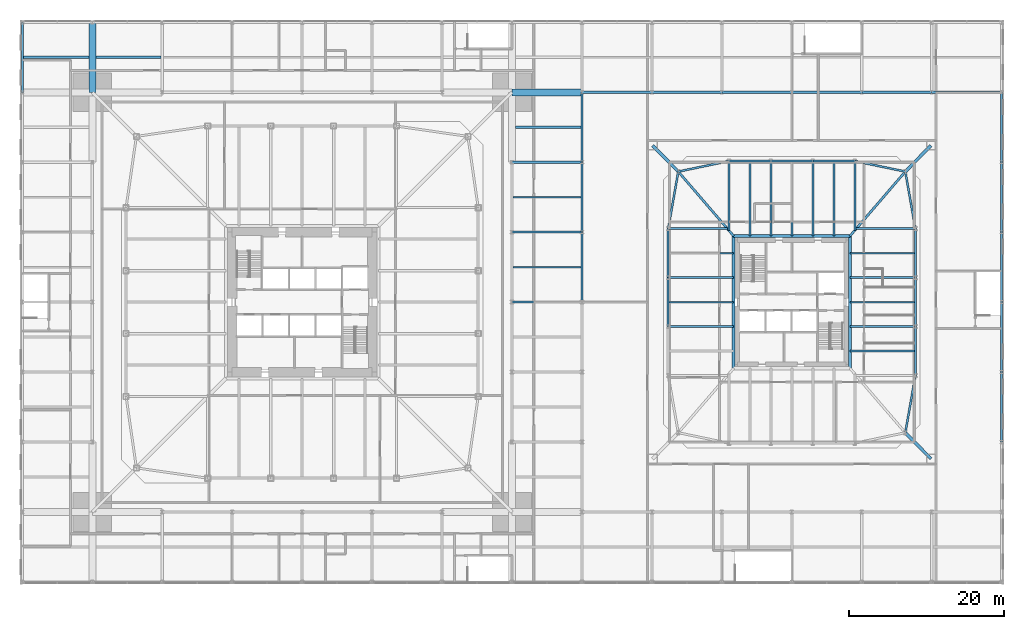
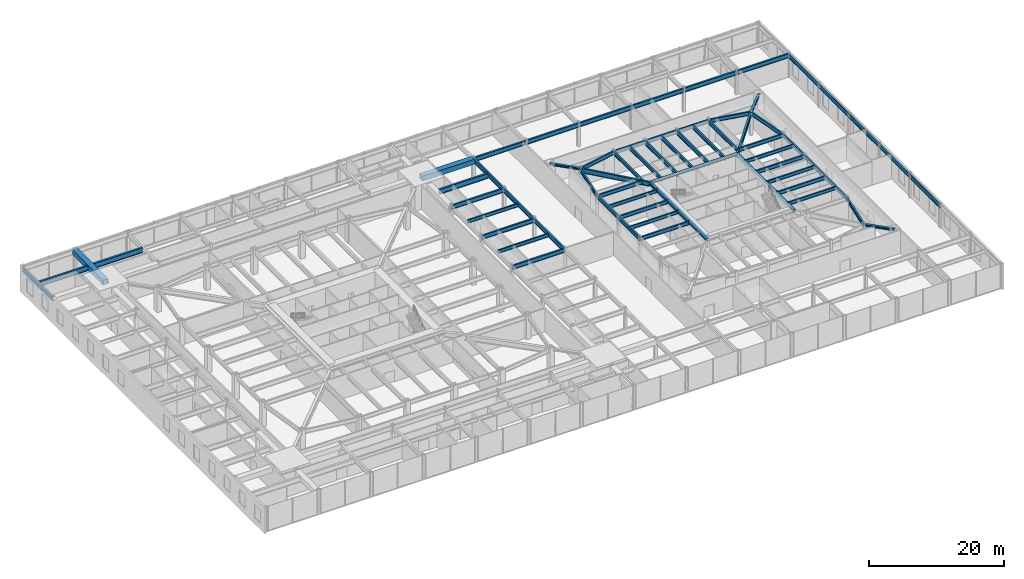
# One storey, part 13 of 30: 61 beams, 3 members.
"""IFC4 building model written with IfcOpenShell, lengths in metres."""

from ifc_helpers import new_model, si_unit, direction, frame, origin, origin_2d, place, context, subcontext, project, spatial, hollow_rectangle, i_section, extrude, material, material_profile, profile_set, type_object, element, save


model = new_model("IFC4")

# Units and contexts
model_context = context("Model", 3, precision=1e-05, world=origin(), true_north=direction((0.0, 1.0)))
body_context = subcontext(model_context, "Body", "Model", "MODEL_VIEW")
ifc_project = project(units=[si_unit("LENGTHUNIT", "METRE"), si_unit("AREAUNIT", "SQUARE_METRE"), si_unit("VOLUMEUNIT", "CUBIC_METRE"), si_unit("PLANEANGLEUNIT", "RADIAN"), si_unit("MASSUNIT", "GRAM", prefix="KILO")], contexts=[model_context])

# Site, building, storey
site_placement = place(None, origin())
site = spatial("IfcSite", under=ifc_project, at=site_placement, CompositionType="ELEMENT")
building_placement = place(site_placement, origin())
building = spatial("IfcBuilding", under=site, at=building_placement, Name="Iwan Alto Co-Living Towers", CompositionType="ELEMENT")
storey_placement = place(building_placement, frame((0.0, 0.0, 10.5)))
storey = spatial("IfcBuildingStorey", under=building, at=storey_placement, Name="L02", CompositionType="ELEMENT", Elevation=10.5)

# Beams
ifc_material_1 = material(Name="Steel ASTM A992 Gr 50", Category="steel")
ifc_material_profile_1 = material_profile(ifc_material_1, i_section(OverallWidth=0.2666015625, OverallDepth=0.76953125, WebThickness=0.015625, FlangeThickness=0.025390625, at=origin_2d()), Name="W30X132")
ifc_profile_set_1 = profile_set([ifc_material_profile_1], Name="Steel ASTM A992 Gr 50")
beam_type_1 = type_object("IfcBeamType", Name="PODIUM BEAM W30X132", PredefinedType="BEAM", material=ifc_profile_set_1)
for number, where, z_axis, x_axis, name in (
    (1, (-36.0, 27.0, 3.865234375), (0.0, 1.0, 0.0), (-1.0, 0.0, 0.0), "Podium beam 1/H-1/I L03"),
    (2, (27.0, 0.0, 3.865234375), (1.0, 0.0, 0.0), (0.0, 1.0, 0.0), "Podium beam 8/E-9/E L03"),
    (3, (27.0, 9.0, 3.865234375), (1.0, 0.0, 0.0), (0.0, 1.0, 0.0), "Podium beam 8/F-9/F L03"),
    (4, (27.0, 18.0, 3.865234375), (1.0, 0.0, 0.0), (0.0, 1.0, 0.0), "Podium beam 8/G-9/G L03"),
    (5, (36.0, 0.0, 3.865234375), (0.0, 1.0, 0.0), (-1.0, 0.0, 0.0), "Podium beam 9/E-9/F L03"),
    (6, (36.0, 9.0, 3.865234375), (0.0, 1.0, 0.0), (-1.0, 0.0, 0.0), "Podium beam 9/F-9/G L03"),
    (7, (36.0, 18.0, 3.865234375), (0.0, 1.0, 0.0), (-1.0, 0.0, 0.0), "Podium beam 9/G-9/H L03"),
    (8, (36.0, 27.0, 3.865234375), (1.0, 0.0, 0.0), (0.0, 1.0, 0.0), "Podium beam 9/H-10/H L03"),
    (9, (45.0, 27.0, 3.865234375), (1.0, 0.0, 0.0), (0.0, 1.0, 0.0), "Podium beam 10/H-11/H L03"),
    (10, (54.0, 27.0, 3.865234375), (1.0, 0.0, 0.0), (0.0, 1.0, 0.0), "Podium beam 11/H-12/H L03"),
    (11, (63.0, 27.0, 3.865234375), (1.0, 0.0, 0.0), (0.0, 1.0, 0.0), "Podium beam 12/H-13/H L03"),
    (12, (72.0, 27.0, 3.865234375), (1.0, 0.0, 0.0), (0.0, 1.0, 0.0), "Podium beam 13/H-14/H L03"),
    (13, (81.0, 27.0, 3.865234375), (1.0, 0.0, 0.0), (0.0, 1.0, 0.0), "Podium beam 14/H-15/H L03"),
    (14, (90.0, -18.0, 3.865234375), (0.0, 1.0, 0.0), (-1.0, 0.0, 0.0), "Podium beam 15/C-15/D L03"),
    (15, (90.0, -9.0, 3.865234375), (0.0, 1.0, 0.0), (-1.0, 0.0, 0.0), "Podium beam 15/D-15/E L03"),
    (16, (90.0, 0.0, 3.865234375), (0.0, 1.0, 0.0), (-1.0, 0.0, 0.0), "Podium beam 15/E-15/F L03"),
    (17, (90.0, 9.0, 3.865234375), (0.0, 1.0, 0.0), (-1.0, 0.0, 0.0), "Podium beam 15/F-15/G L03"),
    (18, (90.0, 18.0, 3.865234375), (0.0, 1.0, 0.0), (-1.0, 0.0, 0.0), "Podium beam 15/G-15/H L03"),
):
    element("IfcBeam", number, at=place(storey_placement, frame(where, z_axis=z_axis, x_axis=x_axis)), inside=storey, type_object=beam_type_1, Name=name, PredefinedType="BEAM", context=body_context, shape_type="SweptSolid", body=[
        extrude(i_section(OverallWidth=0.2666015625, OverallDepth=0.76953125, WebThickness=0.015625, FlangeThickness=0.025390625, at=origin_2d()), origin(), (0.0, 0.0, 1.0), 9.0),
    ])
ifc_material_2 = material(Name="Steel ASTM A992 Gr 50", Category="steel")
ifc_material_profile_2 = material_profile(ifc_material_2, i_section(OverallWidth=0.307373046875, OverallDepth=0.927001953125, WebThickness=0.01953125, FlangeThickness=0.031982421875, at=origin_2d()), Name="W36X194")
ifc_profile_set_2 = profile_set([ifc_material_profile_2], Name="Steel ASTM A992 Gr 50")
beam_type_2 = type_object("IfcBeamType", Name="PODIUM PIER BAY SECONDARY BEAM W36X194", PredefinedType="JOIST", material=ifc_profile_set_2)
for number, where, z_axis, x_axis, name in (
    (19, (-35.86669921875, 31.5, 3.786376953125), (1.0, 0.0, 0.0), (0.0, 1.0, 0.0), "Podium secondary beam 1/H L03"),
    (20, (-26.550048828125, 31.5, 3.786376953125), (1.0, 0.0, 0.0), (0.0, 1.0, 0.0), "Podium secondary beam 2/H L03"),
    (21, (27.449951171875, 22.5, 3.786376953125), (1.0, 0.0, 0.0), (0.0, 1.0, 0.0), "Podium secondary beam 8/G L03"),
):
    element("IfcBeam", number, at=place(storey_placement, frame(where, z_axis=z_axis, x_axis=x_axis)), inside=storey, type_object=beam_type_2, Name=name, PredefinedType="JOIST", context=body_context, shape_type="SweptSolid", body=[
        extrude(i_section(OverallWidth=0.307373046875, OverallDepth=0.927001953125, WebThickness=0.01953125, FlangeThickness=0.031982421875, at=origin_2d()), origin(), (0.0, 0.0, 1.0), 8.416748046875),
    ])
ifc_material_3 = material(Name="Steel ASTM A572 Gr 50", Category="steel")
ifc_material_profile_3 = material_profile(ifc_material_3, hollow_rectangle(XDim=0.89990234375, YDim=0.89990234375, WallThickness=0.06005859375, at=origin_2d()), Name="BOX 900X900X60")
ifc_profile_set_3 = profile_set([ifc_material_profile_3], Name="Steel ASTM A572 Gr 50")
beam_type_3 = type_object("IfcBeamType", Name="PODIUM PIER BEAM BOX 900X900X60", PredefinedType="BEAM", material=ifc_profile_set_3)
for number, where, z_axis, x_axis, name in (
    (22, (-27.0, 27.0, 3.800048828125), (0.0, 1.0, 0.0), (-1.0, 0.0, 0.0), "Podium beam 2/H-2/I L03"),
    (23, (27.0, 27.0, 3.800048828125), (1.0, 0.0, 0.0), (0.0, 1.0, 0.0), "Podium beam 8/H-9/H L03"),
):
    element("IfcBeam", number, at=place(storey_placement, frame(where, z_axis=z_axis, x_axis=x_axis)), inside=storey, type_object=beam_type_3, Name=name, PredefinedType="BEAM", context=body_context, shape_type="SweptSolid", body=[
        extrude(hollow_rectangle(XDim=0.89990234375, YDim=0.89990234375, WallThickness=0.06005859375, at=origin_2d()), origin(), (0.0, 0.0, 1.0), 9.0),
    ])
ifc_material_4 = material(Name="Steel ASTM A992 Gr 50", Category="steel")
ifc_material_profile_4 = material_profile(ifc_material_4, i_section(OverallWidth=0.23046875, OverallDepth=0.6171875, WebThickness=0.01318359375, FlangeThickness=0.022216796875, at=origin_2d()), Name="W24X94")
ifc_profile_set_4 = profile_set([ifc_material_profile_4], Name="Steel ASTM A992 Gr 50")
beam_type_4 = type_object("IfcBeamType", Name="PODIUM SECONDARY BEAM W24X94", PredefinedType="JOIST", material=ifc_profile_set_4)
for number, where, z_axis, x_axis, name in (
    (24, (27.13330078125, 4.5, 3.94140625), (1.0, 0.0, 0.0), (0.0, 1.0, 0.0), "Podium secondary beam 8/E L03"),
    (25, (27.13330078125, 13.5, 3.94140625), (1.0, 0.0, 0.0), (0.0, 1.0, 0.0), "Podium secondary beam 8/F L03"),
):
    element("IfcBeam", number, at=place(storey_placement, frame(where, z_axis=z_axis, x_axis=x_axis)), inside=storey, type_object=beam_type_4, Name=name, PredefinedType="JOIST", context=body_context, shape_type="SweptSolid", body=[
        extrude(i_section(OverallWidth=0.23046875, OverallDepth=0.6171875, WebThickness=0.01318359375, FlangeThickness=0.022216796875, at=origin_2d()), origin(), (0.0, 0.0, 1.0), 8.7333984375),
    ])
ifc_material_5 = material(Name="Steel ASTM A992 Gr 50", Category="steel")
ifc_material_profile_5 = material_profile(ifc_material_5, i_section(OverallWidth=0.40380859375, OverallDepth=0.406494140625, WebThickness=0.027099609375, FlangeThickness=0.043701171875, at=origin_2d()), Name="W14X233")
ifc_profile_set_5 = profile_set([ifc_material_profile_5], Name="Steel ASTM A992 Gr 50")
beam_type_5 = type_object("IfcBeamType", Name="T2 CORE LEDGER BEAM W14X233", PredefinedType="BEAM", material=ifc_profile_set_5)
beam_1_placement = place(storey_placement, frame((70.501953125, -8.534912109375, 4.06689453125), z_axis=(0.0, 1.0, 0.0), x_axis=(-1.0, 0.0, 0.0)))
element("IfcBeam", 26, at=beam_1_placement, inside=storey, type_object=beam_type_5, Name="T2 core ledger beam E L03", PredefinedType="BEAM", context=body_context, shape_type="SweptSolid", body=[
    extrude(i_section(OverallWidth=0.40380859375, OverallDepth=0.406494140625, WebThickness=0.027099609375, FlangeThickness=0.043701171875, at=origin_2d()), origin(), (0.0, 0.0, 1.0), 17.06982421875),
])
beam_2_placement = place(storey_placement, frame((70.4736328125, 8.501953125, 4.06689453125), z_axis=(-1.0, 0.0, 0.0), x_axis=(0.0, -1.0, 0.0)))
element("IfcBeam", 27, at=beam_2_placement, inside=storey, type_object=beam_type_5, Name="T2 core ledger beam N L03", PredefinedType="BEAM", context=body_context, shape_type="SweptSolid", body=[
    extrude(i_section(OverallWidth=0.40380859375, OverallDepth=0.406494140625, WebThickness=0.027099609375, FlangeThickness=0.043701171875, at=origin_2d()), origin(), (0.0, 0.0, 1.0), 14.947265625),
])
beam_3_placement = place(storey_placement, frame((55.498046875, 8.534912109375, 4.06689453125), z_axis=(0.0, -1.0, 0.0), x_axis=(1.0, 0.0, 0.0)))
element("IfcBeam", 28, at=beam_3_placement, inside=storey, type_object=beam_type_5, Name="T2 core ledger beam W L03", PredefinedType="BEAM", context=body_context, shape_type="SweptSolid", body=[
    extrude(i_section(OverallWidth=0.40380859375, OverallDepth=0.406494140625, WebThickness=0.027099609375, FlangeThickness=0.043701171875, at=origin_2d()), origin(), (0.0, 0.0, 1.0), 17.06982421875),
])
ifc_material_6 = material(Name="Steel ASTM A992 Gr 50", Category="steel")
ifc_material_profile_6 = material_profile(ifc_material_6, i_section(OverallWidth=0.2919921875, OverallDepth=0.8408203125, WebThickness=0.0146484375, FlangeThickness=0.021728515625, at=origin_2d()), Name="W33X130")
ifc_profile_set_6 = profile_set([ifc_material_profile_6], Name="Steel ASTM A992 Gr 50")
beam_type_6 = type_object("IfcBeamType", Name="T2 CORNER GIRDER W33X130", PredefinedType="BEAM", material=ifc_profile_set_6)
for number, where, z_axis, x_axis, name in (
    (29, (77.606201171875, 16.797119140625, 3.849609375), (-0.651972301827, -0.758242782788, 0.0), (0.758242782788, -0.651972301827, 0.0), "T2 corner girder CNE L03"),
    (30, (48.393798828125, 16.797119140625, 3.849609375), (0.651972301827, -0.758242782788, 0.0), (0.758242782788, 0.651972301827, 0.0), "T2 corner girder CNW L03"),
):
    element("IfcBeam", number, at=place(storey_placement, frame(where, z_axis=z_axis, x_axis=x_axis)), inside=storey, type_object=beam_type_6, Name=name, PredefinedType="BEAM", context=body_context, shape_type="SweptSolid", body=[
        extrude(i_section(OverallWidth=0.2919921875, OverallDepth=0.8408203125, WebThickness=0.0146484375, FlangeThickness=0.021728515625, at=origin_2d()), origin(), (0.0, 0.0, 1.0), 10.93994140625),
    ])
ifc_material_7 = material(Name="Steel ASTM A992 Gr 50", Category="steel")
ifc_material_profile_7 = material_profile(ifc_material_7, i_section(OverallWidth=0.25390625, OverallDepth=0.683349609375, WebThickness=0.012451171875, FlangeThickness=0.018798828125, at=origin_2d()), Name="W27X94")
ifc_profile_set_7 = profile_set([ifc_material_profile_7], Name="Steel ASTM A992 Gr 50")
beam_type_7 = type_object("IfcBeamType", Name="T2 EDGE BEAM W27X94", PredefinedType="BEAM", material=ifc_profile_set_7)
beam_4_placement = place(storey_placement, frame((77.606201171875, -16.797119140625, 3.928466796875), z_axis=(0.173413807283, 0.98484905008, 0.0), x_axis=(-0.98484905008, 0.173413807283, 0.0)))
element("IfcBeam", 31, at=beam_4_placement, inside=storey, type_object=beam_type_7, Name="T2 edge beam CSE L03", PredefinedType="BEAM", context=body_context, shape_type="SweptSolid", body=[
    extrude(i_section(OverallWidth=0.25390625, OverallDepth=0.683349609375, WebThickness=0.012451171875, FlangeThickness=0.018798828125, at=origin_2d()), origin(), (0.0, 0.0, 1.0), 7.460205078125),
])
beam_5_placement = place(storey_placement, frame((78.89990234375, -9.449951171875, 3.928466796875), z_axis=(0.0, 1.0, 0.0), x_axis=(-1.0, 0.0, 0.0)))
element("IfcBeam", 32, at=beam_5_placement, inside=storey, type_object=beam_type_7, Name="T2 edge beam E1 L03", PredefinedType="BEAM", context=body_context, shape_type="SweptSolid", body=[
    extrude(i_section(OverallWidth=0.25390625, OverallDepth=0.683349609375, WebThickness=0.012451171875, FlangeThickness=0.018798828125, at=origin_2d()), origin(), (0.0, 0.0, 1.0), 6.300048828125),
])
beam_6_placement = place(storey_placement, frame((78.89990234375, -3.14990234375, 3.928466796875), z_axis=(0.0, 1.0, 0.0), x_axis=(-1.0, 0.0, 0.0)))
element("IfcBeam", 33, at=beam_6_placement, inside=storey, type_object=beam_type_7, Name="T2 edge beam E2 L03", PredefinedType="BEAM", context=body_context, shape_type="SweptSolid", body=[
    extrude(i_section(OverallWidth=0.25390625, OverallDepth=0.683349609375, WebThickness=0.012451171875, FlangeThickness=0.018798828125, at=origin_2d()), origin(), (0.0, 0.0, 1.0), 6.2998046875),
])
beam_7_placement = place(storey_placement, frame((78.89990234375, 3.14990234375, 3.928466796875), z_axis=(0.0, 1.0, 0.0), x_axis=(-1.0, 0.0, 0.0)))
element("IfcBeam", 34, at=beam_7_placement, inside=storey, type_object=beam_type_7, Name="T2 edge beam E3 L03", PredefinedType="BEAM", context=body_context, shape_type="SweptSolid", body=[
    extrude(i_section(OverallWidth=0.25390625, OverallDepth=0.683349609375, WebThickness=0.012451171875, FlangeThickness=0.018798828125, at=origin_2d()), origin(), (0.0, 0.0, 1.0), 6.300048828125),
])
beam_8_placement = place(storey_placement, frame((78.89990234375, 9.449951171875, 3.928466796875), z_axis=(-0.173413807283, 0.98484905008, 0.0), x_axis=(-0.98484905008, -0.173413807283, 0.0)))
element("IfcBeam", 35, at=beam_8_placement, inside=storey, type_object=beam_type_7, Name="T2 edge beam E4 L03", PredefinedType="BEAM", context=body_context, shape_type="SweptSolid", body=[
    extrude(i_section(OverallWidth=0.25390625, OverallDepth=0.683349609375, WebThickness=0.012451171875, FlangeThickness=0.018798828125, at=origin_2d()), origin(), (0.0, 0.0, 1.0), 7.460205078125),
])
beam_9_placement = place(storey_placement, frame((77.606201171875, 16.797119140625, 3.928466796875), z_axis=(-0.979060119423, 0.203571320564, 0.0), x_axis=(-0.203571320564, -0.979060119423, 0.0)))
element("IfcBeam", 36, at=beam_9_placement, inside=storey, type_object=beam_type_7, Name="T2 edge beam CNE L03", PredefinedType="BEAM", context=body_context, shape_type="SweptSolid", body=[
    extrude(i_section(OverallWidth=0.25390625, OverallDepth=0.683349609375, WebThickness=0.012451171875, FlangeThickness=0.018798828125, at=origin_2d()), origin(), (0.0, 0.0, 1.0), 6.645263671875),
])
beam_10_placement = place(storey_placement, frame((71.10009765625, 18.14990234375, 3.928466796875), z_axis=(-1.0, 0.0, 0.0), x_axis=(0.0, -1.0, 0.0)))
element("IfcBeam", 37, at=beam_10_placement, inside=storey, type_object=beam_type_7, Name="T2 edge beam N1 L03", PredefinedType="BEAM", context=body_context, shape_type="SweptSolid", body=[
    extrude(i_section(OverallWidth=0.25390625, OverallDepth=0.683349609375, WebThickness=0.012451171875, FlangeThickness=0.018798828125, at=origin_2d()), origin(), (0.0, 0.0, 1.0), 5.400146484375),
])
beam_11_placement = place(storey_placement, frame((65.699951171875, 18.14990234375, 3.928466796875), z_axis=(-1.0, 0.0, 0.0), x_axis=(0.0, -1.0, 0.0)))
element("IfcBeam", 38, at=beam_11_placement, inside=storey, type_object=beam_type_7, Name="T2 edge beam N2 L03", PredefinedType="BEAM", context=body_context, shape_type="SweptSolid", body=[
    extrude(i_section(OverallWidth=0.25390625, OverallDepth=0.683349609375, WebThickness=0.012451171875, FlangeThickness=0.018798828125, at=origin_2d()), origin(), (0.0, 0.0, 1.0), 5.39990234375),
])
beam_12_placement = place(storey_placement, frame((60.300048828125, 18.14990234375, 3.928466796875), z_axis=(-1.0, 0.0, 0.0), x_axis=(0.0, -1.0, 0.0)))
element("IfcBeam", 39, at=beam_12_placement, inside=storey, type_object=beam_type_7, Name="T2 edge beam N3 L03", PredefinedType="BEAM", context=body_context, shape_type="SweptSolid", body=[
    extrude(i_section(OverallWidth=0.25390625, OverallDepth=0.683349609375, WebThickness=0.012451171875, FlangeThickness=0.018798828125, at=origin_2d()), origin(), (0.0, 0.0, 1.0), 5.400146484375),
])
beam_13_placement = place(storey_placement, frame((54.89990234375, 18.14990234375, 3.928466796875), z_axis=(-0.979060119423, -0.203571320564, 0.0), x_axis=(0.203571320564, -0.979060119423, 0.0)))
element("IfcBeam", 40, at=beam_13_placement, inside=storey, type_object=beam_type_7, Name="T2 edge beam N4 L03", PredefinedType="BEAM", context=body_context, shape_type="SweptSolid", body=[
    extrude(i_section(OverallWidth=0.25390625, OverallDepth=0.683349609375, WebThickness=0.012451171875, FlangeThickness=0.018798828125, at=origin_2d()), origin(), (0.0, 0.0, 1.0), 6.645263671875),
])
beam_14_placement = place(storey_placement, frame((48.393798828125, 16.797119140625, 3.928466796875), z_axis=(-0.173413807283, -0.98484905008, 0.0), x_axis=(0.98484905008, -0.173413807283, 0.0)))
element("IfcBeam", 41, at=beam_14_placement, inside=storey, type_object=beam_type_7, Name="T2 edge beam CNW L03", PredefinedType="BEAM", context=body_context, shape_type="SweptSolid", body=[
    extrude(i_section(OverallWidth=0.25390625, OverallDepth=0.683349609375, WebThickness=0.012451171875, FlangeThickness=0.018798828125, at=origin_2d()), origin(), (0.0, 0.0, 1.0), 7.460205078125),
])
beam_15_placement = place(storey_placement, frame((47.10009765625, 9.449951171875, 3.928466796875), z_axis=(0.0, -1.0, 0.0), x_axis=(1.0, 0.0, 0.0)))
element("IfcBeam", 42, at=beam_15_placement, inside=storey, type_object=beam_type_7, Name="T2 edge beam W1 L03", PredefinedType="BEAM", context=body_context, shape_type="SweptSolid", body=[
    extrude(i_section(OverallWidth=0.25390625, OverallDepth=0.683349609375, WebThickness=0.012451171875, FlangeThickness=0.018798828125, at=origin_2d()), origin(), (0.0, 0.0, 1.0), 6.300048828125),
])
beam_16_placement = place(storey_placement, frame((47.10009765625, 3.14990234375, 3.928466796875), z_axis=(0.0, -1.0, 0.0), x_axis=(1.0, 0.0, 0.0)))
element("IfcBeam", 43, at=beam_16_placement, inside=storey, type_object=beam_type_7, Name="T2 edge beam W2 L03", PredefinedType="BEAM", context=body_context, shape_type="SweptSolid", body=[
    extrude(i_section(OverallWidth=0.25390625, OverallDepth=0.683349609375, WebThickness=0.012451171875, FlangeThickness=0.018798828125, at=origin_2d()), origin(), (0.0, 0.0, 1.0), 6.2998046875),
])

# Members
ifc_material_8 = material(Name="Steel ASTM A992 Gr 50", Category="steel")
ifc_material_profile_8 = material_profile(ifc_material_8, i_section(OverallWidth=0.393798828125, OverallDepth=0.3759765625, WebThickness=0.017333984375, FlangeThickness=0.027587890625, at=origin_2d()), Name="W14X145")
ifc_profile_set_8 = profile_set([ifc_material_profile_8], Name="Steel ASTM A992 Gr 50")
member_type = type_object("IfcMemberType", Name="T2 MEGA COLUMN FLOOR TIE W14X145", PredefinedType="STRUT", material=ifc_profile_set_8)
for number, where, z_axis, x_axis, name in (
    (44, (80.89990234375, -20.14990234375, 4.08203125), (-0.700793469544, 0.71336422187, 0.0), (-0.71336422187, -0.700793469544, 0.0), "T2 mega column floor tie SE L03"),
    (45, (80.89990234375, 20.14990234375, 4.08203125), (-0.700793469544, -0.71336422187, 0.0), (0.71336422187, -0.700793469544, 0.0), "T2 mega column floor tie NE L03"),
    (46, (45.10009765625, 20.14990234375, 4.08203125), (0.700793469544, -0.71336422187, 0.0), (0.71336422187, 0.700793469544, 0.0), "T2 mega column floor tie NW L03"),
):
    element("IfcMember", number, at=place(storey_placement, frame(where, z_axis=z_axis, x_axis=x_axis)), inside=storey, type_object=member_type, Name=name, PredefinedType="STRUT", context=body_context, shape_type="SweptSolid", body=[
        extrude(i_section(OverallWidth=0.393798828125, OverallDepth=0.3759765625, WebThickness=0.017333984375, FlangeThickness=0.027587890625, at=origin_2d()), origin(), (0.0, 0.0, 1.0), 4.699951171875),
    ])

# Beams
ifc_material_9 = material(Name="Steel ASTM A992 Gr 50", Category="steel")
ifc_material_profile_9 = material_profile(ifc_material_9, i_section(OverallWidth=0.25390625, OverallDepth=0.683349609375, WebThickness=0.012451171875, FlangeThickness=0.018798828125, at=origin_2d()), Name="W27X94")
ifc_profile_set_9 = profile_set([ifc_material_profile_9], Name="Steel ASTM A992 Gr 50")
beam_type_8 = type_object("IfcBeamType", Name="T2 RADIAL BEAM W27X94", PredefinedType="BEAM", material=ifc_profile_set_9)
for number, where, z_axis, x_axis, name in (
    (47, (78.89990234375, -3.14990234375, 3.928466796875), (-1.0, 0.0, 0.0), (0.0, -1.0, 0.0), "T2 radial beam E2 L03"),
    (48, (78.89990234375, 3.14990234375, 3.928466796875), (-1.0, 0.0, 0.0), (0.0, -1.0, 0.0), "T2 radial beam E3 L03"),
):
    element("IfcBeam", number, at=place(storey_placement, frame(where, z_axis=z_axis, x_axis=x_axis)), inside=storey, type_object=beam_type_8, Name=name, PredefinedType="BEAM", context=body_context, shape_type="SweptSolid", body=[
        extrude(i_section(OverallWidth=0.25390625, OverallDepth=0.683349609375, WebThickness=0.012451171875, FlangeThickness=0.018798828125, at=origin_2d()), origin(), (0.0, 0.0, 1.0), 8.39794921875),
    ])
beam_17_placement = place(storey_placement, frame((78.89990234375, 9.449951171875, 3.928466796875), z_axis=(-1.0, 0.0, 0.0), x_axis=(0.0, -1.0, 0.0)))
element("IfcBeam", 49, at=beam_17_placement, inside=storey, type_object=beam_type_8, Name="T2 radial beam E4 L03", PredefinedType="BEAM", context=body_context, shape_type="SweptSolid", body=[
    extrude(i_section(OverallWidth=0.25390625, OverallDepth=0.683349609375, WebThickness=0.012451171875, FlangeThickness=0.018798828125, at=origin_2d()), origin(), (0.0, 0.0, 1.0), 7.611083984375),
])
for number, where, z_axis, x_axis, name in (
    (50, (71.10009765625, 18.14990234375, 3.928466796875), (0.0, -1.0, 0.0), (1.0, 0.0, 0.0), "T2 radial beam N1 L03"),
    (51, (54.89990234375, 18.14990234375, 3.928466796875), (0.0, -1.0, 0.0), (1.0, 0.0, 0.0), "T2 radial beam N4 L03"),
):
    element("IfcBeam", number, at=place(storey_placement, frame(where, z_axis=z_axis, x_axis=x_axis)), inside=storey, type_object=beam_type_8, Name=name, PredefinedType="BEAM", context=body_context, shape_type="SweptSolid", body=[
        extrude(i_section(OverallWidth=0.25390625, OverallDepth=0.683349609375, WebThickness=0.012451171875, FlangeThickness=0.018798828125, at=origin_2d()), origin(), (0.0, 0.0, 1.0), 8.91943359375),
    ])
beam_18_placement = place(storey_placement, frame((47.10009765625, 9.449951171875, 3.928466796875), z_axis=(1.0, 0.0, 0.0), x_axis=(0.0, 1.0, 0.0)))
element("IfcBeam", 52, at=beam_18_placement, inside=storey, type_object=beam_type_8, Name="T2 radial beam W1 L03", PredefinedType="BEAM", context=body_context, shape_type="SweptSolid", body=[
    extrude(i_section(OverallWidth=0.25390625, OverallDepth=0.683349609375, WebThickness=0.012451171875, FlangeThickness=0.018798828125, at=origin_2d()), origin(), (0.0, 0.0, 1.0), 7.611083984375),
])
for number, where, z_axis, x_axis, name in (
    (53, (47.10009765625, 3.14990234375, 3.928466796875), (1.0, 0.0, 0.0), (0.0, 1.0, 0.0), "T2 radial beam W2 L03"),
    (54, (47.10009765625, -3.14990234375, 3.928466796875), (1.0, 0.0, 0.0), (0.0, 1.0, 0.0), "T2 radial beam W3 L03"),
):
    element("IfcBeam", number, at=place(storey_placement, frame(where, z_axis=z_axis, x_axis=x_axis)), inside=storey, type_object=beam_type_8, Name=name, PredefinedType="BEAM", context=body_context, shape_type="SweptSolid", body=[
        extrude(i_section(OverallWidth=0.25390625, OverallDepth=0.683349609375, WebThickness=0.012451171875, FlangeThickness=0.018798828125, at=origin_2d()), origin(), (0.0, 0.0, 1.0), 8.39794921875),
    ])
ifc_material_10 = material(Name="Steel ASTM A992 Gr 50", Category="steel")
ifc_material_profile_10 = material_profile(ifc_material_10, i_section(OverallWidth=0.2666015625, OverallDepth=0.761962890625, WebThickness=0.014404296875, FlangeThickness=0.021484375, at=origin_2d()), Name="W30X116")
ifc_profile_set_10 = profile_set([ifc_material_profile_10], Name="Steel ASTM A992 Gr 50")
beam_type_9 = type_object("IfcBeamType", Name="T2 RADIAL BEAM W30X116", PredefinedType="BEAM", material=ifc_profile_set_10)
for number, where, z_axis, x_axis, name in (
    (55, (65.699951171875, 18.14990234375, 3.888916015625), (0.0, -1.0, 0.0), (1.0, 0.0, 0.0), "T2 radial beam N2 L03"),
    (56, (60.300048828125, 18.14990234375, 3.888916015625), (0.0, -1.0, 0.0), (1.0, 0.0, 0.0), "T2 radial beam N3 L03"),
):
    element("IfcBeam", number, at=place(storey_placement, frame(where, z_axis=z_axis, x_axis=x_axis)), inside=storey, type_object=beam_type_9, Name=name, PredefinedType="BEAM", context=body_context, shape_type="SweptSolid", body=[
        extrude(i_section(OverallWidth=0.2666015625, OverallDepth=0.761962890625, WebThickness=0.014404296875, FlangeThickness=0.021484375, at=origin_2d()), origin(), (0.0, 0.0, 1.0), 9.64794921875),
    ])
ifc_material_11 = material(Name="Steel ASTM A992 Gr 50", Category="steel")
ifc_material_profile_11 = material_profile(ifc_material_11, i_section(OverallWidth=0.228271484375, OverallDepth=0.607177734375, WebThickness=0.01123046875, FlangeThickness=0.017333984375, at=origin_2d()), Name="W24X76")
ifc_profile_set_11 = profile_set([ifc_material_profile_11], Name="Steel ASTM A992 Gr 50")
beam_type_10 = type_object("IfcBeamType", Name="T2 SECONDARY BEAM W24X76", PredefinedType="JOIST", material=ifc_profile_set_11)
for number, where, z_axis, x_axis, name in (
    (57, (78.89990234375, -6.300048828125, 3.966552734375), (-1.0, 0.0, 0.0), (0.0, -1.0, 0.0), "T2 secondary beam E1 L03"),
    (58, (78.89990234375, 0.0, 3.966552734375), (-1.0, 0.0, 0.0), (0.0, -1.0, 0.0), "T2 secondary beam E2 L03"),
    (59, (78.89990234375, 6.300048828125, 3.966552734375), (-1.0, 0.0, 0.0), (0.0, -1.0, 0.0), "T2 secondary beam E3 L03"),
    (60, (47.10009765625, 6.300048828125, 3.966552734375), (1.0, 0.0, 0.0), (0.0, 1.0, 0.0), "T2 secondary beam W1 L03"),
    (61, (47.10009765625, 0.0, 3.966552734375), (1.0, 0.0, 0.0), (0.0, 1.0, 0.0), "T2 secondary beam W2 L03"),
):
    element("IfcBeam", number, at=place(storey_placement, frame(where, z_axis=z_axis, x_axis=x_axis)), inside=storey, type_object=beam_type_10, Name=name, PredefinedType="JOIST", context=body_context, shape_type="SweptSolid", body=[
        extrude(i_section(OverallWidth=0.228271484375, OverallDepth=0.607177734375, WebThickness=0.01123046875, FlangeThickness=0.017333984375, at=origin_2d()), origin(), (0.0, 0.0, 1.0), 8.39794921875),
    ])
ifc_material_12 = material(Name="Steel ASTM A992 Gr 50", Category="steel")
ifc_material_profile_12 = material_profile(ifc_material_12, i_section(OverallWidth=0.25390625, OverallDepth=0.683349609375, WebThickness=0.012451171875, FlangeThickness=0.018798828125, at=origin_2d()), Name="W27X94")
ifc_profile_set_12 = profile_set([ifc_material_profile_12], Name="Steel ASTM A992 Gr 50")
beam_type_11 = type_object("IfcBeamType", Name="T2 SECONDARY BEAM W27X94", PredefinedType="JOIST", material=ifc_profile_set_12)
for number, where, z_axis, x_axis, name in (
    (62, (68.39990234375, 18.14990234375, 3.928466796875), (0.0, -1.0, 0.0), (1.0, 0.0, 0.0), "T2 secondary beam N1 L03"),
    (63, (63.0, 18.14990234375, 3.928466796875), (0.0, -1.0, 0.0), (1.0, 0.0, 0.0), "T2 secondary beam N2 L03"),
    (64, (57.60009765625, 18.14990234375, 3.928466796875), (0.0, -1.0, 0.0), (1.0, 0.0, 0.0), "T2 secondary beam N3 L03"),
):
    element("IfcBeam", number, at=place(storey_placement, frame(where, z_axis=z_axis, x_axis=x_axis)), inside=storey, type_object=beam_type_11, Name=name, PredefinedType="JOIST", context=body_context, shape_type="SweptSolid", body=[
        extrude(i_section(OverallWidth=0.25390625, OverallDepth=0.683349609375, WebThickness=0.012451171875, FlangeThickness=0.018798828125, at=origin_2d()), origin(), (0.0, 0.0, 1.0), 9.64794921875),
    ])

save(model, "model.ifc")
